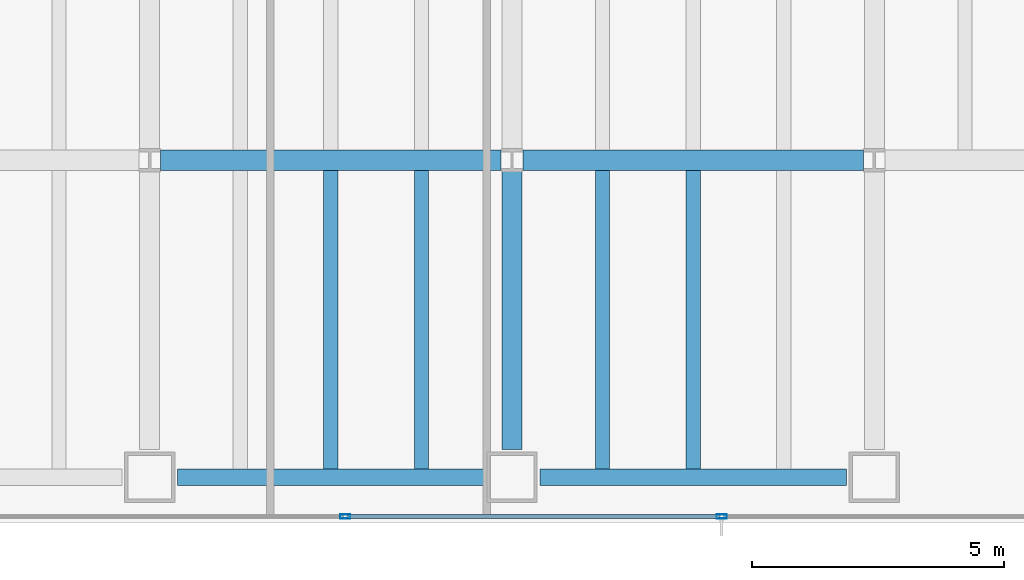
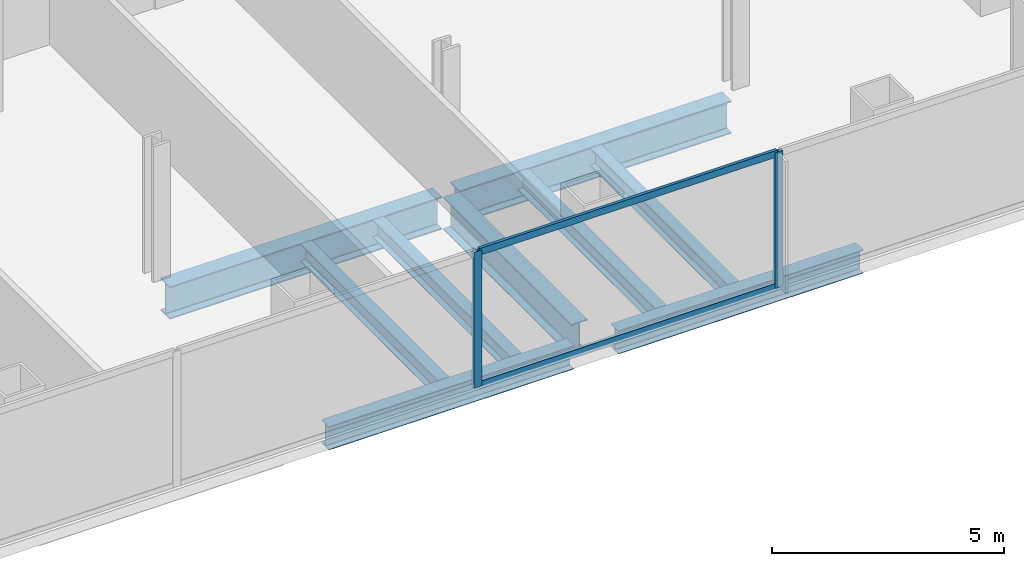
# One storey, part 7 of 25: 9 beams, 4 members, 1 element without a shape of its own.
"""IFC4 building model written with IfcOpenShell, lengths in metres."""

import ifcopenshell
import ifcopenshell.guid

model = None  # the IFC model being written
_history = None  # IfcOwnerHistory: only IFC2X3 demands one
_inside = {}  # id of a spatial element -> (the spatial element, [elements in it])
_under = {}  # id of a project, library or spatial element -> (it, [spatial elements below it])
_declared = {}  # id of a project -> (the project, [libraries it declares])
_typed = {}  # id of a type object -> (the type object, [elements of that type])
_made_of = {}  # id of a material, layer set ... -> (it, [elements and type objects made of it])


def new_model(schema):
    """Start an empty IFC model of exactly this schema.

    Asked for "IFC4X3", IfcOpenShell would pick the latest addendum, in which some entities
    have other attributes; the version numbers below select the first issue.
    IFC2X3 requires an IfcOwnerHistory on every rooted entity: one is made here for all.
    """
    global model, _history
    if schema == "IFC4X3":
        model = ifcopenshell.file(schema_version=(4, 3, 0, 0))
    else:
        model = ifcopenshell.file(schema=schema)
    _inside.clear()
    _under.clear()
    _declared.clear()
    _typed.clear()
    _made_of.clear()
    _history = None
    if model.schema == "IFC2X3":
        org = make("IfcOrganization", Name="unknown")
        user = make(
            "IfcPersonAndOrganization",
            ThePerson=make("IfcPerson", FamilyName="unknown"),
            TheOrganization=org,
        )
        app = make(
            "IfcApplication",
            ApplicationDeveloper=org,
            Version="unknown",
            ApplicationFullName="unknown",
            ApplicationIdentifier="unknown",
        )
        _history = make(
            "IfcOwnerHistory",
            OwningUser=user,
            OwningApplication=app,
            ChangeAction="ADDED",
            CreationDate=0,
        )
    return model


def make(cls, **values):
    """One entity of the class cls with the attributes given. An attribute that is None is left unset."""
    return model.create_entity(
        cls, **{name: value for name, value in values.items() if value is not None}
    )


def rooted(cls, **values):
    """An entity with a GlobalId (a new one), such as an element, a storey or a relation."""
    return make(cls, GlobalId=ifcopenshell.guid.new(), OwnerHistory=_history, **values)


def si_unit(unit_type, name, prefix=None):
    """IfcSIUnit, for example si_unit("LENGTHUNIT", "METRE", prefix="MILLI")."""
    return make("IfcSIUnit", UnitType=unit_type, Prefix=prefix, Name=name)


def assignment(units):
    """IfcUnitAssignment: the units of a project."""
    return None if units is None else make("IfcUnitAssignment", Units=units)


def point(xyz):
    """IfcCartesianPoint."""
    return None if xyz is None else make("IfcCartesianPoint", Coordinates=xyz)


def direction(xyz):
    """IfcDirection."""
    return None if xyz is None else make("IfcDirection", DirectionRatios=xyz)


def frame(location, z_axis=None, x_axis=None):
    """IfcAxis2Placement3D, a coordinate frame: its origin and axes. An axis left out is left unset."""
    return make(
        "IfcAxis2Placement3D",
        Location=point(location),
        Axis=direction(z_axis),
        RefDirection=direction(x_axis),
    )


def frame_2d(location, x_axis=None):
    """IfcAxis2Placement2D, a coordinate frame in the plane: its origin and x axis."""
    return make(
        "IfcAxis2Placement2D", Location=point(location), RefDirection=direction(x_axis)
    )


def origin():
    """The frame at (0, 0, 0) with its axes left unset."""
    return frame((0.0, 0.0, 0.0))


def origin_2d():
    """The frame at (0, 0) in the plane with its x axis left unset."""
    return frame_2d((0.0, 0.0))


def place(relative_to, where):
    """IfcLocalPlacement: puts the frame where relative to a parent placement (None: the world)."""
    return make(
        "IfcLocalPlacement", PlacementRelTo=relative_to, RelativePlacement=where
    )


def context(
    kind, dimensions, precision=None, world=None, true_north=None, identifier=None
):
    """IfcGeometricRepresentationContext, for example the 3D "Model" context."""
    return make(
        "IfcGeometricRepresentationContext",
        ContextIdentifier=identifier,
        ContextType=kind,
        CoordinateSpaceDimension=dimensions,
        Precision=precision,
        WorldCoordinateSystem=world,
        TrueNorth=true_north,
    )


def subcontext(parent, identifier, kind, view, scale=None):
    """IfcGeometricRepresentationSubContext, for example "Body" below "Model"."""
    return make(
        "IfcGeometricRepresentationSubContext",
        ContextIdentifier=identifier,
        ContextType=kind,
        ParentContext=parent,
        TargetScale=scale,
        TargetView=view,
    )


def project(units=None, contexts=None):
    """IfcProject with its units and contexts."""
    return rooted(
        "IfcProject",
        Name="project",
        RepresentationContexts=contexts,
        UnitsInContext=assignment(units),
    )


def spatial(cls, under=None, at=None, **own):
    """A site, building, storey or space (cls), placed at a placement, below another one or the project."""
    s = rooted(cls, ObjectPlacement=at, **own)
    if under is not None:
        _under.setdefault(under.id(), (under, []))[1].append(s)
    return s


def profile(cls, at=None, kind="AREA", **sizes):
    """A parametric profile (cls). Its sizes go by their IFC names, for example OverallWidth=200.0."""
    return make(cls, ProfileType=kind, Position=at, **sizes)


def hollow_rectangle(**sizes):
    """IfcRectangleHollowProfileDef."""
    return profile("IfcRectangleHollowProfileDef", **sizes)


def i_section(**sizes):
    """IfcIShapeProfileDef."""
    return profile("IfcIShapeProfileDef", **sizes)


def extrude(swept, where, along, depth):
    """IfcExtrudedAreaSolid: the profile swept, set in the frame where, extruded along a direction by depth."""
    return make(
        "IfcExtrudedAreaSolid",
        SweptArea=swept,
        Position=where,
        ExtrudedDirection=direction(along),
        Depth=depth,
    )


def shape(context_of_items, identifier, shape_type, items):
    """IfcShapeRepresentation: the items that make up one representation, for example the "Body"."""
    return make(
        "IfcShapeRepresentation",
        ContextOfItems=context_of_items,
        RepresentationIdentifier=identifier,
        RepresentationType=shape_type,
        Items=items,
    )


def material(Name=None, Category=None):
    """IfcMaterial."""
    return make("IfcMaterial", Name=Name, Category=Category)


def material_profile(
    of_material, cross_section, Name=None, Category=None, Priority=None
):
    """IfcMaterialProfile: a cross section and its material."""
    return make(
        "IfcMaterialProfile",
        Name=Name,
        Material=of_material,
        Profile=cross_section,
        Priority=Priority,
        Category=Category,
    )


def profile_set(profiles, Name=None, composite=None):
    """IfcMaterialProfileSet."""
    return make(
        "IfcMaterialProfileSet",
        Name=Name,
        MaterialProfiles=profiles,
        CompositeProfile=composite,
    )


def made_of(thing, what):
    """Note that an element or type object is made of a material, layer set ...; save() writes the relation."""
    if what is not None:
        _made_of.setdefault(what.id(), (what, []))[1].append(thing)
    return thing


def type_object(cls, material=None, **own):
    """A type object (cls), such as IfcWallType, which elements share."""
    return made_of(rooted(cls, **own), material)


def element(
    cls,
    number,
    at=None,
    inside=None,
    cuts=None,
    type_object=None,
    material=None,
    context=None,
    identifier="Body",
    shape_type=None,
    held_by="IfcProductDefinitionShape",
    body=None,
    shapes=None,
    **own,
):
    """One element of the class cls, such as IfcWall. Its Tag is "e" and its number.

    at: its placement. inside: the storey or other place that contains it. cuts: it is an
    opening in that element (IfcRelVoidsElement). A single representation is given by context,
    identifier, shape_type and body (its items); several are given by shapes. held_by: the class
    of the entity that holds the representations. save() writes the other relations.
    """
    e = rooted(cls, Tag="e%d" % number, ObjectPlacement=at, **own)
    if body is not None:
        shapes = [shape(context, identifier, shape_type, body)]
    if shapes is not None:
        e.Representation = make(held_by, Representations=shapes)
    if inside is not None:
        _inside.setdefault(inside.id(), (inside, []))[1].append(e)
    if cuts is not None:
        rooted(
            "IfcRelVoidsElement", RelatingBuildingElement=cuts, RelatedOpeningElement=e
        )
    if type_object is not None:
        _typed.setdefault(type_object.id(), (type_object, []))[1].append(e)
    return made_of(e, material)


def aggregate(whole, parts):
    """IfcRelAggregates: a whole, such as a stair, and the parts it consists of."""
    return rooted("IfcRelAggregates", RelatingObject=whole, RelatedObjects=parts)


def save(model, path):
    """Write the relations noted so far, then the file.

    IfcRelAggregates (storeys below a building ...), IfcRelContainedInSpatialStructure (elements
    in a storey), IfcRelDefinesByType, IfcRelAssociatesMaterial and IfcRelDeclares: one each for
    every whole, place, type object, material and project.
    """
    for whole, parts in _under.values():
        aggregate(whole, parts)
    for where, things in _inside.values():
        rooted(
            "IfcRelContainedInSpatialStructure",
            RelatedElements=things,
            RelatingStructure=where,
        )
    for kind, things in _typed.values():
        rooted("IfcRelDefinesByType", RelatedObjects=things, RelatingType=kind)
    for what, things in _made_of.values():
        rooted("IfcRelAssociatesMaterial", RelatedObjects=things, RelatingMaterial=what)
    for by, libraries in _declared.values():
        rooted("IfcRelDeclares", RelatingContext=by, RelatedDefinitions=libraries)
    model.write(path)


model = new_model("IFC4")

# Units and contexts
model_context = context("Model", 3, precision=1e-05, world=origin(), true_north=direction((0.0, 1.0)))
body_context = subcontext(model_context, "Body", "Model", "MODEL_VIEW")
ifc_project = project(units=[si_unit("LENGTHUNIT", "METRE"), si_unit("AREAUNIT", "SQUARE_METRE"), si_unit("VOLUMEUNIT", "CUBIC_METRE"), si_unit("PLANEANGLEUNIT", "RADIAN"), si_unit("MASSUNIT", "GRAM", prefix="KILO")], contexts=[model_context])

# Site, building, storey
site_placement = place(None, origin())
site = spatial("IfcSite", under=ifc_project, at=site_placement, CompositionType="ELEMENT")
building_placement = place(site_placement, origin())
building = spatial("IfcBuilding", under=site, at=building_placement, Name="Cobrela Telecom Tower", CompositionType="ELEMENT")
storey_placement = place(building_placement, frame((0.0, 0.0, 46.550048828125)))
storey = spatial("IfcBuildingStorey", under=building, at=storey_placement, Name="L11", CompositionType="ELEMENT", Elevation=46.550048828125)

# Beams
ifc_material_1 = material(Name="Steel ASTM A992 Grade 50", Category="steel")
ifc_material_profile_1 = material_profile(ifc_material_1, i_section(OverallWidth=0.39892578125, OverallDepth=0.85595703125, WebThickness=0.018310546875, FlangeThickness=0.029296875, FilletRadius=0.02001953125, at=origin_2d()), Name="W33X201")
ifc_profile_set_1 = profile_set([ifc_material_profile_1], Name="Steel ASTM A992 Grade 50")
beam_type_1 = type_object("IfcBeamType", Name="BM-GIRD-03", PredefinedType="USERDEFINED", material=ifc_profile_set_1)
for number, where, z_axis, x_axis, name in (
    (1, (29.01611328125, 7.199951171875, -0.7080078125), (1.0, 0.0, 0.0), (0.0, 1.0, 0.0), "L11 Primary Girder X10"),
    (2, (36.216064453125, 7.199951171875, -0.7080078125), (1.0, 0.0, 0.0), (0.0, 1.0, 0.0), "L11 Primary Girder X11"),
):
    element("IfcBeam", number, at=place(storey_placement, frame(where, z_axis=z_axis, x_axis=x_axis)), inside=storey, type_object=beam_type_1, Name=name, ObjectType="GIRDER", PredefinedType="USERDEFINED", context=body_context, shape_type="SweptSolid", body=[
        extrude(i_section(OverallWidth=0.39892578125, OverallDepth=0.85595703125, WebThickness=0.018310546875, FlangeThickness=0.029296875, FilletRadius=0.02001953125, at=origin_2d()), origin(), (0.0, 0.0, 1.0), 6.767822265625),
    ])
beam_placement = place(storey_placement, frame((36.0, 1.455078125, -0.7080078125), z_axis=(0.0, 1.0, 0.0), x_axis=(-1.0, 0.0, 0.0)))
element("IfcBeam", 3, at=beam_placement, inside=storey, type_object=beam_type_1, Name="L11 Primary Girder Y50", ObjectType="GIRDER", PredefinedType="USERDEFINED", context=body_context, shape_type="SweptSolid", body=[
    extrude(i_section(OverallWidth=0.39892578125, OverallDepth=0.85595703125, WebThickness=0.018310546875, FlangeThickness=0.029296875, FilletRadius=0.02001953125, at=origin_2d()), origin(), (0.0, 0.0, 1.0), 5.52880859375),
])
ifc_material_profile_2 = material_profile(ifc_material_1, i_section(OverallWidth=0.281982421875, OverallDepth=0.467041015625, WebThickness=0.01220703125, FlangeThickness=0.01953125, FilletRadius=0.012939453125, at=origin_2d()), Name="W18X86")
ifc_profile_set_2 = profile_set([ifc_material_profile_2], Name="Steel ASTM A992 Grade 50")
beam_type_2 = type_object("IfcBeamType", Name="BM-JOIST-02", PredefinedType="JOIST", material=ifc_profile_set_2)
for number, where, z_axis, x_axis, name in (
    (4, (32.39990234375, 1.0673828125, -0.513427734375), (0.0, 1.0, 0.0), (-1.0, 0.0, 0.0), "L11 Secondary Composite Floor Beam J44"),
    (5, (34.199951171875, 1.0673828125, -0.513427734375), (0.0, 1.0, 0.0), (-1.0, 0.0, 0.0), "L11 Secondary Composite Floor Beam J47"),
    (6, (37.800048828125, 1.0673828125, -0.513427734375), (0.0, 1.0, 0.0), (-1.0, 0.0, 0.0), "L11 Secondary Composite Floor Beam J50"),
    (7, (39.60009765625, 1.0673828125, -0.513427734375), (0.0, 1.0, 0.0), (-1.0, 0.0, 0.0), "L11 Secondary Composite Floor Beam J53"),
):
    element("IfcBeam", number, at=place(storey_placement, frame(where, z_axis=z_axis, x_axis=x_axis)), inside=storey, type_object=beam_type_2, Name=name, PredefinedType="JOIST", context=body_context, shape_type="SweptSolid", body=[
        extrude(i_section(OverallWidth=0.281982421875, OverallDepth=0.467041015625, WebThickness=0.01220703125, FlangeThickness=0.01953125, FilletRadius=0.012939453125, at=origin_2d()), origin(), (0.0, 0.0, 1.0), 5.92822265625),
    ])
ifc_material_profile_3 = material_profile(ifc_material_1, i_section(OverallWidth=0.324951171875, OverallDepth=0.612060546875, WebThickness=0.0126953125, FlangeThickness=0.01904296875, FilletRadius=0.014892578125, at=origin_2d()), Name="W24X104")
ifc_profile_set_3 = profile_set([ifc_material_profile_3], Name="Steel ASTM A992 Grade 50")
beam_type_3 = type_object("IfcBeamType", Name="BM-SPAND-02", PredefinedType="SPANDREL", material=ifc_profile_set_3)
for number, where, z_axis, x_axis, name in (
    (8, (29.35498046875, 0.89990234375, -0.5859375), (1.0, 0.0, 0.0), (0.0, 1.0, 0.0), "L11 Perimeter Spandrel X04"),
    (9, (36.554931640625, 0.89990234375, -0.5859375), (1.0, 0.0, 0.0), (0.0, 1.0, 0.0), "L11 Perimeter Spandrel X05"),
):
    element("IfcBeam", number, at=place(storey_placement, frame(where, z_axis=z_axis, x_axis=x_axis)), inside=storey, type_object=beam_type_3, Name=name, PredefinedType="SPANDREL", context=body_context, shape_type="SweptSolid", body=[
        extrude(i_section(OverallWidth=0.324951171875, OverallDepth=0.612060546875, WebThickness=0.0126953125, FlangeThickness=0.01904296875, FilletRadius=0.014892578125, at=origin_2d()), origin(), (0.0, 0.0, 1.0), 6.090087890625),
    ])

# Curtain wall, members
ifc_material_2 = material(Name="Anodized Bronze Aluminium 6063-T6", Category="aluminium")
curtain_wall_type = type_object("IfcCurtainWallType", Name="CW-SYS-DATA", PredefinedType="USERDEFINED", material=ifc_material_2)
curtain_wall_placement = place(storey_placement, origin())
curtain_wall = element("IfcCurtainWall", 10, at=curtain_wall_placement, inside=storey, type_object=curtain_wall_type, Name="L11 Unitised Bronze Curtain Wall 17", ObjectType="UNITISED CURTAIN WALL", PredefinedType="USERDEFINED")
ifc_material_profile_4 = material_profile(ifc_material_2, hollow_rectangle(XDim=0.080078125, YDim=0.199951171875, WallThickness=0.00390625, at=origin_2d()), Name="ALU 80x200x4")
ifc_profile_set_4 = profile_set([ifc_material_profile_4], Name="Anodized Bronze Aluminium 6063-T6")
member_type_1 = type_object("IfcMemberType", Name="CW-SYS-DATA-MUL", PredefinedType="MULLION", material=ifc_profile_set_4)
member_1_placement = place(storey_placement, frame((40.166748046875, 0.1201171875, 0.0), z_axis=(0.0, 0.0, 1.0), x_axis=(0.0, -1.0, 0.0)))
member_1 = element("IfcMember", 11, at=member_1_placement, type_object=member_type_1, Name="CW-DATA mullion 2", PredefinedType="MULLION", context=body_context, shape_type="SweptSolid", body=[
    extrude(hollow_rectangle(XDim=0.080078125, YDim=0.199951171875, WallThickness=0.00390625, at=origin_2d()), origin(), (0.0, 0.0, 1.0), 3.570068359375),
])
member_2_placement = place(storey_placement, frame((32.683349609375, 0.1201171875, 0.0), z_axis=(0.0, 0.0, 1.0), x_axis=(0.0, -1.0, 0.0)))
member_2 = element("IfcMember", 12, at=member_2_placement, type_object=member_type_1, Name="CW-DATA mullion 3", PredefinedType="MULLION", context=body_context, shape_type="SweptSolid", body=[
    extrude(hollow_rectangle(XDim=0.080078125, YDim=0.199951171875, WallThickness=0.00390625, at=origin_2d()), origin(), (0.0, 0.0, 1.0), 3.570068359375),
])
ifc_material_profile_5 = material_profile(ifc_material_2, hollow_rectangle(XDim=0.074951171875, YDim=0.179931640625, WallThickness=0.00390625, at=origin_2d()), Name="ALU 75x180x4")
ifc_profile_set_5 = profile_set([ifc_material_profile_5], Name="Anodized Bronze Aluminium 6063-T6")
member_type_2 = type_object("IfcMemberType", Name="CW-SYS-DATA-TRN", PredefinedType="USERDEFINED", material=ifc_profile_set_5)
member_3_placement = place(storey_placement, frame((40.126708984375, 0.1201171875, 0.037353515625), z_axis=(-1.0, 0.0, 0.0), x_axis=(0.0, -1.0, 0.0)))
member_3 = element("IfcMember", 13, at=member_3_placement, type_object=member_type_2, Name="CW-DATA transom 2.1", ObjectType="TRANSOM", PredefinedType="USERDEFINED", context=body_context, shape_type="SweptSolid", body=[
    extrude(hollow_rectangle(XDim=0.074951171875, YDim=0.179931640625, WallThickness=0.00390625, at=origin_2d()), origin(), (0.0, 0.0, 1.0), 7.4033203125),
])
member_4_placement = place(storey_placement, frame((40.126708984375, 0.1201171875, 3.532470703125), z_axis=(-1.0, 0.0, 0.0), x_axis=(0.0, -1.0, 0.0)))
member_4 = element("IfcMember", 14, at=member_4_placement, type_object=member_type_2, Name="CW-DATA transom 2.2", ObjectType="TRANSOM", PredefinedType="USERDEFINED", context=body_context, shape_type="SweptSolid", body=[
    extrude(hollow_rectangle(XDim=0.074951171875, YDim=0.179931640625, WallThickness=0.00390625, at=origin_2d()), origin(), (0.0, 0.0, 1.0), 7.4033203125),
])
aggregate(curtain_wall, [member_1, member_2, member_3, member_4])

save(model, "model.ifc")
